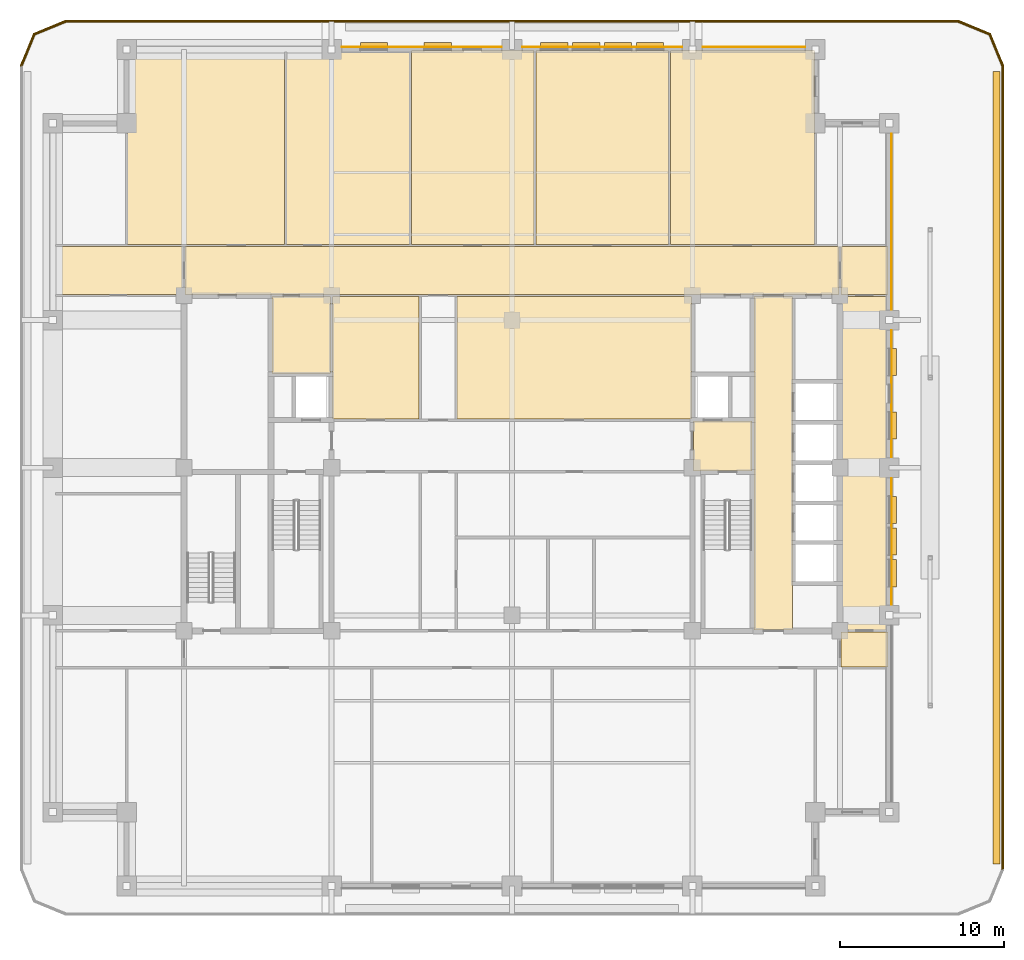
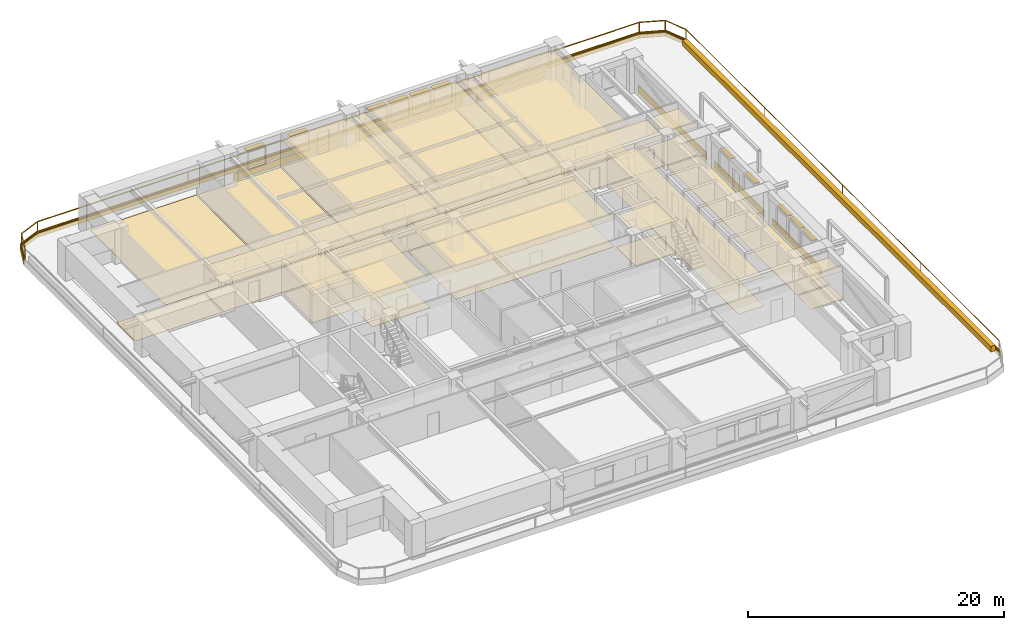
# One storey, part 17 of 17: 39 coverings, 11 shading devices, 2 railings.
"""IFC4 building model written with IfcOpenShell, lengths in metres."""

from ifc_helpers import new_model, si_unit, direction, frame, frame_2d, origin, origin_2d, place, context, subcontext, project, spatial, polyline, rectangle, outline, extrude, material, layer, layer_set, type_object, element, save


model = new_model("IFC4")

# Units and contexts
model_context = context("Model", 3, precision=1e-05, world=origin(), true_north=direction((0.0, 1.0)))
body_context = subcontext(model_context, "Body", "Model", "MODEL_VIEW")
ifc_project = project(units=[si_unit("LENGTHUNIT", "METRE"), si_unit("AREAUNIT", "SQUARE_METRE"), si_unit("VOLUMEUNIT", "CUBIC_METRE"), si_unit("PLANEANGLEUNIT", "RADIAN"), si_unit("MASSUNIT", "GRAM", prefix="KILO")], contexts=[model_context])

# Site, building, storey
site_placement = place(None, origin())
site = spatial("IfcSite", under=ifc_project, at=site_placement, CompositionType="ELEMENT")
building_placement = place(site_placement, origin())
building = spatial("IfcBuilding", under=site, at=building_placement, Name="Zulmaris Gate Convention Tower", CompositionType="ELEMENT")
storey_placement = place(building_placement, frame((0.0, 0.0, 121.349853515625)))
storey = spatial("IfcBuildingStorey", under=building, at=storey_placement, Name="L30", CompositionType="ELEMENT", Elevation=121.349853515625)

# Coverings
ifc_material_1 = material(Name="Precast concrete C40/50", Category="concrete")
ifc_layer_1 = layer(ifc_material_1, 0.0400390625, Name="Precast concrete C40/50")
ifc_layer_set_1 = layer_set([ifc_layer_1], Name="Precast concrete C40/50")
covering_type_1 = type_object("IfcCoveringType", Name="CLAD-SPANDREL-PRECAST", PredefinedType="CLADDING", material=ifc_layer_set_1)
for number, where, z_axis, x_axis, name in (
    (1, (-0.6298828125, 25.64990234375, 0.0), (0.0, 0.0, 1.0), (-1.0, 0.0, 0.0), "CLD-L30-N-1_0"),
    (2, (10.3701171875, 25.64990234375, 0.0), (0.0, 0.0, 1.0), (-1.0, 0.0, 0.0), "CLD-L30-N-2_0"),
):
    element("IfcCovering", number, at=place(storey_placement, frame(where, z_axis=z_axis, x_axis=x_axis)), inside=storey, type_object=covering_type_1, Name=name, PredefinedType="CLADDING", context=body_context, shape_type="SweptSolid", body=[
        extrude(rectangle(XDim=9.740234375, YDim=0.0400390625, at=frame_2d((4.8701171875, 0.0))), origin(), (0.0, 0.0, 1.0), 0.679931640625),
    ])
covering_1_placement = place(storey_placement, frame((17.8701171875, 25.64990234375, 0.0), z_axis=(0.0, 0.0, 1.0), x_axis=(-1.0, 0.0, 0.0)))
element("IfcCovering", 3, at=covering_1_placement, inside=storey, type_object=covering_type_1, Name="CLD-L30-N-3_0", PredefinedType="CLADDING", context=body_context, shape_type="SweptSolid", body=[
    extrude(rectangle(XDim=6.240234375, YDim=0.0400390625, at=frame_2d((3.1201171875, 0.0))), origin(), (0.0, 0.0, 1.0), 0.679931640625),
])
for number, where, z_axis, x_axis, name in (
    (4, (23.14990234375, -8.3701171875, 0.0), (0.0, 0.0, 1.0), (0.0, 1.0, 0.0), "CLD-L30-E-1_0"),
    (5, (23.14990234375, 0.6298828125, 0.0), (0.0, 0.0, 1.0), (0.0, 1.0, 0.0), "CLD-L30-E-2_0"),
):
    element("IfcCovering", number, at=place(storey_placement, frame(where, z_axis=z_axis, x_axis=x_axis)), inside=storey, type_object=covering_type_1, Name=name, PredefinedType="CLADDING", context=body_context, shape_type="SweptSolid", body=[
        extrude(rectangle(XDim=7.740234375, YDim=0.0400390625, at=frame_2d((3.8701171875, 0.0))), origin(), (0.0, 0.0, 1.0), 0.679931640625),
    ])
covering_2_placement = place(storey_placement, frame((23.14990234375, 9.6298828125, 0.0), z_axis=(0.0, 0.0, 1.0), x_axis=(0.0, 1.0, 0.0)))
element("IfcCovering", 6, at=covering_2_placement, inside=storey, type_object=covering_type_1, Name="CLD-L30-E-3_0", PredefinedType="CLADDING", context=body_context, shape_type="SweptSolid", body=[
    extrude(rectangle(XDim=10.740234375, YDim=0.0400390625, at=frame_2d((5.3701171875, 0.0))), origin(), (0.0, 0.0, 1.0), 0.679931640625),
])
ifc_material_2 = material(Name="White Glazed Architectural Precast Concrete C40/50", Category="concrete")
ifc_layer_2 = layer(ifc_material_2, 0.080078125, Name="White Glazed Architectural Precast Concrete C40/50")
ifc_layer_set_2 = layer_set([ifc_layer_2], Name="White Glazed Architectural Precast Concrete C40/50")
covering_type_2 = type_object("IfcCoveringType", Name="CLAD-TRAY-FASCIA", PredefinedType="CLADDING", material=ifc_layer_set_2)
covering_3_placement = place(storey_placement, frame((29.9599609375, -24.5, -0.46484375), z_axis=(0.0, 0.0, 1.0), x_axis=(0.0, 1.0, 0.0)))
element("IfcCovering", 7, at=covering_3_placement, inside=storey, type_object=covering_type_2, Name="FSC-L30-TR-05", PredefinedType="CLADDING", context=body_context, shape_type="SweptSolid", body=[
    extrude(rectangle(XDim=49.0, YDim=0.080078125, at=frame_2d((24.5, 0.0))), origin(), (0.0, 0.0, 1.0), 0.5849609375),
])
covering_4_placement = place(storey_placement, frame((29.962890625, 24.484619140625, -0.46484375), z_axis=(0.0, 0.0, 1.0), x_axis=(-0.382656984709, 0.923890487046, 0.0)))
element("IfcCovering", 8, at=covering_4_placement, inside=storey, type_object=covering_type_2, Name="FSC-L30-TR-06", PredefinedType="CLADDING", context=body_context, shape_type="SweptSolid", body=[
    extrude(rectangle(XDim=2.14306640625, YDim=0.080078125, at=frame_2d((1.071533203125, 0.0))), origin(), (0.0, 0.0, 1.0), 0.5849609375),
])
covering_5_placement = place(storey_placement, frame((29.16455078125, 26.44287109375, -0.46484375), z_axis=(0.0, 0.0, 1.0), x_axis=(-0.923873803533, 0.382697263049, 0.0)))
element("IfcCovering", 9, at=covering_5_placement, inside=storey, type_object=covering_type_2, Name="FSC-L30-TR-07", PredefinedType="CLADDING", context=body_context, shape_type="SweptSolid", body=[
    extrude(rectangle(XDim=2.142822265625, YDim=0.080078125, at=frame_2d((1.0712890625, 0.0))), origin(), (0.0, 0.0, 1.0), 0.5849609375),
])
covering_6_placement = place(storey_placement, frame((27.199951171875, 27.260009765625, -0.46484375), z_axis=(0.0, 0.0, 1.0), x_axis=(-1.0, 0.0, 0.0)))
element("IfcCovering", 10, at=covering_6_placement, inside=storey, type_object=covering_type_2, Name="FSC-L30-TR-08", PredefinedType="CLADDING", context=body_context, shape_type="SweptSolid", body=[
    extrude(rectangle(XDim=54.39990234375, YDim=0.080078125, at=frame_2d((27.199951171875, 0.0))), origin(), (0.0, 0.0, 1.0), 0.5849609375),
])
covering_7_placement = place(storey_placement, frame((-27.184814453125, 27.262939453125, -0.46484375), z_axis=(0.0, 0.0, 1.0), x_axis=(-0.923873803533, -0.382697263049, 0.0)))
element("IfcCovering", 11, at=covering_7_placement, inside=storey, type_object=covering_type_2, Name="FSC-L30-TR-09", PredefinedType="CLADDING", context=body_context, shape_type="SweptSolid", body=[
    extrude(rectangle(XDim=2.142822265625, YDim=0.080078125, at=frame_2d((1.0712890625, 0.0))), origin(), (0.0, 0.0, 1.0), 0.5849609375),
])
covering_8_placement = place(storey_placement, frame((-29.142822265625, 26.464599609375, -0.46484375), z_axis=(0.0, 0.0, 1.0), x_axis=(-0.382656984709, -0.923890487046, 0.0)))
element("IfcCovering", 12, at=covering_8_placement, inside=storey, type_object=covering_type_2, Name="FSC-L30-TR-10", PredefinedType="CLADDING", context=body_context, shape_type="SweptSolid", body=[
    extrude(rectangle(XDim=2.14306640625, YDim=0.080078125, at=frame_2d((1.071533203125, 0.0))), origin(), (0.0, 0.0, 1.0), 0.5849609375),
])
ifc_material_3 = material(Name="Mineral Fibre Acoustic Ceiling Tile")
ifc_layer_3 = layer(ifc_material_3, 0.02001953125, Name="Mineral Fibre Acoustic Ceiling Tile")
ifc_layer_set_3 = layer_set([ifc_layer_3], Name="Mineral Fibre Acoustic Ceiling Tile")
covering_type_3 = type_object("IfcCoveringType", Name="CLG-ACOUSTIC-600", PredefinedType="CEILING", material=ifc_layer_set_3)
covering_9_placement = place(storey_placement, frame((0.0, 0.0, 3.0400390625)))
element("IfcCovering", 13, at=covering_9_placement, inside=storey, type_object=covering_type_3, Name="CLG-L30-R08", PredefinedType="CEILING", context=body_context, shape_type="SweptSolid", body=[
    extrude(outline(polyline([(11.06005859375, -0.18994140625), (14.639892578125, -0.18994140625), (14.639892578125, 2.840087890625), (11.06005859375, 2.840087890625), (11.06005859375, -0.18994140625)])), origin(), (0.0, 0.0, 1.0), 0.02001953125),
])
covering_10_placement = place(storey_placement, frame((0.0, 0.0, 2.60302734375)))
element("IfcCovering", 14, at=covering_10_placement, inside=storey, type_object=covering_type_3, Name="CLG-L30-R11", PredefinedType="CEILING", context=body_context, shape_type="SweptSolid", body=[
    extrude(outline(polyline([(-14.639892578125, 5.760009765625), (-11.06005859375, 5.760009765625), (-11.06005859375, 10.43994140625), (-14.639892578125, 10.43994140625), (-14.639892578125, 5.760009765625)])), origin(), (0.0, 0.0, 1.0), 0.02001953125),
])
covering_11_placement = place(storey_placement, frame((0.0, 0.0, 2.778076171875)))
element("IfcCovering", 15, at=covering_11_placement, inside=storey, type_object=covering_type_3, Name="CLG-L30-R21", PredefinedType="CEILING", context=body_context, shape_type="SweptSolid", body=[
    extrude(outline(polyline([(14.760009765625, -9.889892578125), (17.090087890625, -9.889892578125), (17.090087890625, 10.43994140625), (14.760009765625, 10.43994140625), (14.760009765625, -9.889892578125)])), origin(), (0.0, 0.0, 1.0), 0.02001953125),
])
covering_12_placement = place(storey_placement, frame((0.0, 0.0, 2.60302734375)))
element("IfcCovering", 16, at=covering_12_placement, inside=storey, type_object=covering_type_3, Name="CLG-L30-R26", PredefinedType="CEILING", context=body_context, shape_type="SweptSolid", body=[
    extrude(outline(polyline([(-19.93994140625, 10.56005859375), (19.93994140625, 10.56005859375), (19.93994140625, 13.489990234375), (-19.93994140625, 13.489990234375), (-19.93994140625, 10.56005859375)])), origin(), (0.0, 0.0, 1.0), 0.02001953125),
])
covering_13_placement = place(storey_placement, frame((0.0, 0.0, 2.60302734375)))
element("IfcCovering", 17, at=covering_13_placement, inside=storey, type_object=covering_type_3, Name="CLG-L30-R33", PredefinedType="CEILING", context=body_context, shape_type="SweptSolid", body=[
    extrude(outline(polyline([(-6.139892578125, 13.610107421875), (1.340087890625, 13.610107421875), (1.340087890625, 25.43994140625), (-6.139892578125, 25.43994140625), (-6.139892578125, 13.610107421875)])), origin(), (0.0, 0.0, 1.0), 0.02001953125),
])
covering_14_placement = place(storey_placement, frame((0.0, 0.0, 2.679931640625)))
element("IfcCovering", 18, at=covering_14_placement, inside=storey, type_object=covering_type_3, Name="CLG-L30-R34", PredefinedType="CEILING", context=body_context, shape_type="SweptSolid", body=[
    extrude(outline(polyline([(1.4599609375, 13.610107421875), (9.5400390625, 13.610107421875), (9.5400390625, 25.43994140625), (1.4599609375, 25.43994140625), (1.4599609375, 13.610107421875)])), origin(), (0.0, 0.0, 1.0), 0.02001953125),
])
covering_15_placement = place(storey_placement, frame((0.0, 0.0, 2.60302734375)))
element("IfcCovering", 19, at=covering_15_placement, inside=storey, type_object=covering_type_3, Name="CLG-L30-R35", PredefinedType="CEILING", context=body_context, shape_type="SweptSolid", body=[
    extrude(outline(polyline([(9.659912109375, 13.610107421875), (18.43994140625, 13.610107421875), (18.43994140625, 25.43994140625), (9.659912109375, 25.43994140625), (9.659912109375, 13.610107421875)])), origin(), (0.0, 0.0, 1.0), 0.02001953125),
])
covering_16_placement = place(storey_placement, frame((0.0, 0.0, 2.60302734375)))
element("IfcCovering", 20, at=covering_16_placement, inside=storey, type_object=covering_type_3, Name="CLG-L30-R39", PredefinedType="CEILING", context=body_context, shape_type="SweptSolid", body=[
    extrude(outline(polyline([(-10.93994140625, 2.9599609375), (-5.659912109375, 2.9599609375), (-5.659912109375, 10.43994140625), (-10.93994140625, 10.43994140625), (-10.93994140625, 2.9599609375)])), origin(), (0.0, 0.0, 1.0), 0.02001953125),
])
covering_17_placement = place(storey_placement, frame((0.0, 0.0, 2.60302734375)))
element("IfcCovering", 21, at=covering_17_placement, inside=storey, type_object=covering_type_3, Name="CLG-L30-R40", PredefinedType="CEILING", context=body_context, shape_type="SweptSolid", body=[
    extrude(outline(polyline([(-3.340087890625, 2.9599609375), (10.93994140625, 2.9599609375), (10.93994140625, 10.43994140625), (-3.340087890625, 10.43994140625), (-3.340087890625, 2.9599609375)])), origin(), (0.0, 0.0, 1.0), 0.02001953125),
])
covering_18_placement = place(storey_placement, frame((0.0, 0.0, 2.679931640625)))
element("IfcCovering", 22, at=covering_18_placement, inside=storey, type_object=covering_type_3, Name="CLG-L30-R50", PredefinedType="CEILING", context=body_context, shape_type="SweptSolid", body=[
    extrude(outline(polyline([(20.06005859375, 10.56005859375), (22.93994140625, 10.56005859375), (22.93994140625, 13.489990234375), (20.06005859375, 13.489990234375), (20.06005859375, 10.56005859375)])), origin(), (0.0, 0.0, 1.0), 0.02001953125),
])
covering_19_placement = place(storey_placement, frame((0.0, 0.0, 2.679931640625)))
element("IfcCovering", 23, at=covering_19_placement, inside=storey, type_object=covering_type_3, Name="CLG-L30-R51", PredefinedType="CEILING", context=body_context, shape_type="SweptSolid", body=[
    extrude(outline(polyline([(20.06005859375, -12.139892578125), (22.93994140625, -12.139892578125), (22.93994140625, -10.010009765625), (20.06005859375, -10.010009765625), (20.06005859375, -12.139892578125)])), origin(), (0.0, 0.0, 1.0), 0.02001953125),
])
ifc_material_4 = material(Name="Woven Acoustic Wool Carpet Tile")
ifc_layer_4 = layer(ifc_material_4, 0.02001953125, Name="Woven Acoustic Wool Carpet Tile")
ifc_layer_set_4 = layer_set([ifc_layer_4], Name="Woven Acoustic Wool Carpet Tile")
covering_type_4 = type_object("IfcCoveringType", Name="FLR-CARPET-12", PredefinedType="FLOORING", material=ifc_layer_set_4)
covering_20_placement = place(storey_placement, origin())
element("IfcCovering", 24, at=covering_20_placement, inside=storey, type_object=covering_type_4, Name="FLR-L30-R08", PredefinedType="FLOORING", context=body_context, shape_type="SweptSolid", body=[
    extrude(outline(polyline([(11.06005859375, -0.18994140625), (14.639892578125, -0.18994140625), (14.639892578125, 2.840087890625), (11.06005859375, 2.840087890625), (11.06005859375, -0.18994140625)])), origin(), (0.0, 0.0, 1.0), 0.02001953125),
])
covering_21_placement = place(storey_placement, origin())
element("IfcCovering", 25, at=covering_21_placement, inside=storey, type_object=covering_type_4, Name="FLR-L30-R11", PredefinedType="FLOORING", context=body_context, shape_type="SweptSolid", body=[
    extrude(outline(polyline([(-14.639892578125, 5.760009765625), (-11.06005859375, 5.760009765625), (-11.06005859375, 10.43994140625), (-14.639892578125, 10.43994140625), (-14.639892578125, 5.760009765625)])), origin(), (0.0, 0.0, 1.0), 0.02001953125),
])
covering_22_placement = place(storey_placement, origin())
element("IfcCovering", 26, at=covering_22_placement, inside=storey, type_object=covering_type_4, Name="FLR-L30-R21", PredefinedType="FLOORING", context=body_context, shape_type="SweptSolid", body=[
    extrude(outline(polyline([(14.760009765625, -9.889892578125), (17.090087890625, -9.889892578125), (17.090087890625, 10.43994140625), (14.760009765625, 10.43994140625), (14.760009765625, -9.889892578125)])), origin(), (0.0, 0.0, 1.0), 0.02001953125),
])
covering_23_placement = place(storey_placement, origin())
element("IfcCovering", 27, at=covering_23_placement, inside=storey, type_object=covering_type_4, Name="FLR-L30-R26", PredefinedType="FLOORING", context=body_context, shape_type="SweptSolid", body=[
    extrude(outline(polyline([(-19.93994140625, 10.56005859375), (19.93994140625, 10.56005859375), (19.93994140625, 13.489990234375), (-19.93994140625, 13.489990234375), (-19.93994140625, 10.56005859375)])), origin(), (0.0, 0.0, 1.0), 0.02001953125),
])
covering_24_placement = place(storey_placement, origin())
element("IfcCovering", 28, at=covering_24_placement, inside=storey, type_object=covering_type_4, Name="FLR-L30-R31", PredefinedType="FLOORING", context=body_context, shape_type="SweptSolid", body=[
    extrude(outline(polyline([(-23.43994140625, 13.610107421875), (-13.860107421875, 13.610107421875), (-13.860107421875, 25.43994140625), (-23.43994140625, 25.43994140625), (-23.43994140625, 13.610107421875)])), origin(), (0.0, 0.0, 1.0), 0.02001953125),
])
covering_25_placement = place(storey_placement, origin())
element("IfcCovering", 29, at=covering_25_placement, inside=storey, type_object=covering_type_4, Name="FLR-L30-R32", PredefinedType="FLOORING", context=body_context, shape_type="SweptSolid", body=[
    extrude(outline(polyline([(-13.739990234375, 13.610107421875), (-6.260009765625, 13.610107421875), (-6.260009765625, 25.43994140625), (-13.739990234375, 25.43994140625), (-13.739990234375, 13.610107421875)])), origin(), (0.0, 0.0, 1.0), 0.02001953125),
])
covering_26_placement = place(storey_placement, origin())
element("IfcCovering", 30, at=covering_26_placement, inside=storey, type_object=covering_type_4, Name="FLR-L30-R33", PredefinedType="FLOORING", context=body_context, shape_type="SweptSolid", body=[
    extrude(outline(polyline([(-6.139892578125, 13.610107421875), (1.340087890625, 13.610107421875), (1.340087890625, 25.43994140625), (-6.139892578125, 25.43994140625), (-6.139892578125, 13.610107421875)])), origin(), (0.0, 0.0, 1.0), 0.02001953125),
])
covering_27_placement = place(storey_placement, origin())
element("IfcCovering", 31, at=covering_27_placement, inside=storey, type_object=covering_type_4, Name="FLR-L30-R34", PredefinedType="FLOORING", context=body_context, shape_type="SweptSolid", body=[
    extrude(outline(polyline([(1.4599609375, 13.610107421875), (9.5400390625, 13.610107421875), (9.5400390625, 25.43994140625), (1.4599609375, 25.43994140625), (1.4599609375, 13.610107421875)])), origin(), (0.0, 0.0, 1.0), 0.02001953125),
])
covering_28_placement = place(storey_placement, origin())
element("IfcCovering", 32, at=covering_28_placement, inside=storey, type_object=covering_type_4, Name="FLR-L30-R35", PredefinedType="FLOORING", context=body_context, shape_type="SweptSolid", body=[
    extrude(outline(polyline([(9.659912109375, 13.610107421875), (18.43994140625, 13.610107421875), (18.43994140625, 25.43994140625), (9.659912109375, 25.43994140625), (9.659912109375, 13.610107421875)])), origin(), (0.0, 0.0, 1.0), 0.02001953125),
])
covering_29_placement = place(storey_placement, origin())
element("IfcCovering", 33, at=covering_29_placement, inside=storey, type_object=covering_type_4, Name="FLR-L30-R40", PredefinedType="FLOORING", context=body_context, shape_type="SweptSolid", body=[
    extrude(outline(polyline([(-3.340087890625, 2.9599609375), (10.93994140625, 2.9599609375), (10.93994140625, 10.43994140625), (-3.340087890625, 10.43994140625), (-3.340087890625, 2.9599609375)])), origin(), (0.0, 0.0, 1.0), 0.02001953125),
])
covering_30_placement = place(storey_placement, origin())
element("IfcCovering", 34, at=covering_30_placement, inside=storey, type_object=covering_type_4, Name="FLR-L30-R46", PredefinedType="FLOORING", context=body_context, shape_type="SweptSolid", body=[
    extrude(outline(polyline([(-27.93994140625, 10.56005859375), (-20.06005859375, 10.56005859375), (-20.06005859375, 13.489990234375), (-27.93994140625, 13.489990234375), (-27.93994140625, 10.56005859375)])), origin(), (0.0, 0.0, 1.0), 0.02001953125),
])
covering_31_placement = place(storey_placement, origin())
element("IfcCovering", 35, at=covering_31_placement, inside=storey, type_object=covering_type_4, Name="FLR-L30-R50", PredefinedType="FLOORING", context=body_context, shape_type="SweptSolid", body=[
    extrude(outline(polyline([(20.06005859375, 10.56005859375), (22.93994140625, 10.56005859375), (22.93994140625, 13.489990234375), (20.06005859375, 13.489990234375), (20.06005859375, 10.56005859375)])), origin(), (0.0, 0.0, 1.0), 0.02001953125),
])
covering_32_placement = place(storey_placement, origin())
element("IfcCovering", 36, at=covering_32_placement, inside=storey, type_object=covering_type_4, Name="FLR-L30-R51", PredefinedType="FLOORING", context=body_context, shape_type="SweptSolid", body=[
    extrude(outline(polyline([(20.06005859375, -12.139892578125), (22.93994140625, -12.139892578125), (22.93994140625, -10.010009765625), (20.06005859375, -10.010009765625), (20.06005859375, -12.139892578125)])), origin(), (0.0, 0.0, 1.0), 0.02001953125),
])
covering_33_placement = place(storey_placement, origin())
element("IfcCovering", 37, at=covering_33_placement, inside=storey, type_object=covering_type_4, Name="FLR-L30-R52", PredefinedType="FLOORING", context=body_context, shape_type="SweptSolid", body=[
    extrude(outline(polyline([(20.06005859375, -9.889892578125), (22.93994140625, -9.889892578125), (22.93994140625, 10.43994140625), (20.06005859375, 10.43994140625), (20.06005859375, -9.889892578125)])), origin(), (0.0, 0.0, 1.0), 0.02001953125),
])
ifc_material_5 = material(Name="Polished Granite Terrazzo Tile", Category="masonry")
ifc_layer_5 = layer(ifc_material_5, 0.02001953125, Name="Polished Granite Terrazzo Tile")
ifc_layer_set_5 = layer_set([ifc_layer_5], Name="Polished Granite Terrazzo Tile")
covering_type_5 = type_object("IfcCoveringType", Name="FLR-TERRAZZO-30", PredefinedType="FLOORING", material=ifc_layer_set_5)
covering_34_placement = place(storey_placement, origin())
element("IfcCovering", 38, at=covering_34_placement, inside=storey, type_object=covering_type_5, Name="FLR-L30-R39", PredefinedType="FLOORING", context=body_context, shape_type="SweptSolid", body=[
    extrude(outline(polyline([(-10.93994140625, 2.9599609375), (-5.659912109375, 2.9599609375), (-5.659912109375, 10.43994140625), (-10.93994140625, 10.43994140625), (-10.93994140625, 2.9599609375)])), origin(), (0.0, 0.0, 1.0), 0.02001953125),
])
ifc_material_6 = material(Name="Botanical Green Glazed Precast Concrete C40/50", Category="concrete")
ifc_layer_6 = layer(ifc_material_6, 0.419921875, Name="Botanical Green Glazed Precast Concrete C40/50")
ifc_layer_set_6 = layer_set([ifc_layer_6], Name="Botanical Green Glazed Precast Concrete C40/50")
covering_type_6 = type_object("IfcCoveringType", Name="PLANTER-BOX-200", PredefinedType="CLADDING", material=ifc_layer_set_6)
covering_35_placement = place(storey_placement, frame((0.0, 0.0, -0.0400390625)))
element("IfcCovering", 39, at=covering_35_placement, inside=storey, type_object=covering_type_6, Name="L30 E Full-Length Balcony Tree Planter Trough", PredefinedType="CLADDING", context=body_context, shape_type="SweptSolid", body=[
    extrude(outline(polyline([(29.340087890625, -24.14990234375), (29.760009765625, -24.14990234375), (29.760009765625, 24.14990234375), (29.340087890625, 24.14990234375), (29.340087890625, -24.14990234375)])), origin(), (0.0, 0.0, 1.0), 0.52001953125),
])

# Railings
ifc_material_7 = material(Name="Laminated Glass and Stainless Steel", Category="steel")
railing_type = type_object("IfcRailingType", Name="RL-BALC-1150", PredefinedType="BALUSTRADE", material=ifc_material_7)
railing_1_placement = place(storey_placement, frame((29.8798828125, -24.5, -0.0400390625)))
element("IfcRailing", 40, at=railing_1_placement, inside=storey, type_object=railing_type, Name="RL-L30-BALC-E", PredefinedType="BALUSTRADE", context=body_context, shape_type="SweptSolid", body=[
    extrude(rectangle(XDim=0.048095703125, YDim=0.048095703125, at=origin_2d()), frame((0.0, 0.0, 1.1259765625), z_axis=(0.0, 1.0, 0.0), x_axis=(-1.0, 0.0, 0.0)), (0.0, 0.0, 1.0), 49.0),
    extrude(rectangle(XDim=0.048095703125, YDim=0.048095703125, at=origin_2d()), frame((0.0, 0.0, 0.02392578125), z_axis=(0.0, 1.0, 0.0), x_axis=(-1.0, 0.0, 0.0)), (0.0, 0.0, 1.0), 49.0),
    extrude(rectangle(XDim=0.0419921875, YDim=0.0419921875, at=origin_2d()), origin(), (0.0, 0.0, 1.0), 1.101806640625),
    extrude(rectangle(XDim=0.0419921875, YDim=0.0419921875, at=origin_2d()), frame((0.0, 12.25, 0.0)), (0.0, 0.0, 1.0), 1.101806640625),
    extrude(rectangle(XDim=0.0419921875, YDim=0.0419921875, at=origin_2d()), frame((0.0, 24.5, 0.0)), (0.0, 0.0, 1.0), 1.101806640625),
    extrude(rectangle(XDim=0.0419921875, YDim=0.0419921875, at=origin_2d()), frame((0.0, 36.75, 0.0)), (0.0, 0.0, 1.0), 1.101806640625),
    extrude(rectangle(XDim=0.0419921875, YDim=0.0419921875, at=origin_2d()), frame((0.0, 49.0, 0.0)), (0.0, 0.0, 1.0), 1.101806640625),
])
railing_2_placement = place(storey_placement, frame((29.8798828125, 24.5, -0.0400390625)))
element("IfcRailing", 41, at=railing_2_placement, inside=storey, type_object=railing_type, Name="RL-L30-BALC-N", PredefinedType="BALUSTRADE", context=body_context, shape_type="SweptSolid", body=[
    extrude(rectangle(XDim=0.048095703125, YDim=0.048095703125, at=origin_2d()), frame((0.0, 0.0, 1.1259765625), z_axis=(-0.382670664694, 0.92388482095, 0.0), x_axis=(-0.92388482095, -0.382670664694, 0.0)), (0.0, 0.0, 1.0), 2.051025390625),
    extrude(rectangle(XDim=0.048095703125, YDim=0.048095703125, at=origin_2d()), frame((0.0, 0.0, 0.02392578125), z_axis=(-0.382670664694, 0.92388482095, 0.0), x_axis=(-0.92388482095, -0.382670664694, 0.0)), (0.0, 0.0, 1.0), 2.051025390625),
    extrude(rectangle(XDim=0.048095703125, YDim=0.048095703125, at=origin_2d()), frame((-0.784912109375, 1.89501953125, 1.1259765625), z_axis=(-0.92388482095, 0.382670664694, 0.0), x_axis=(-0.382670664694, -0.92388482095, 0.0)), (0.0, 0.0, 1.0), 2.051025390625),
    extrude(rectangle(XDim=0.048095703125, YDim=0.048095703125, at=origin_2d()), frame((-0.784912109375, 1.89501953125, 0.02392578125), z_axis=(-0.92388482095, 0.382670664694, 0.0), x_axis=(-0.382670664694, -0.92388482095, 0.0)), (0.0, 0.0, 1.0), 2.051025390625),
    extrude(rectangle(XDim=0.048095703125, YDim=0.048095703125, at=origin_2d()), frame((-2.679931640625, 2.679931640625, 1.1259765625), z_axis=(-1.0, 0.0, 0.0), x_axis=(0.0, -1.0, 0.0)), (0.0, 0.0, 1.0), 54.39990234375),
    extrude(rectangle(XDim=0.048095703125, YDim=0.048095703125, at=origin_2d()), frame((-2.679931640625, 2.679931640625, 0.02392578125), z_axis=(-1.0, 0.0, 0.0), x_axis=(0.0, -1.0, 0.0)), (0.0, 0.0, 1.0), 54.39990234375),
    extrude(rectangle(XDim=0.048095703125, YDim=0.048095703125, at=origin_2d()), frame((-57.079833984375, 2.679931640625, 1.1259765625), z_axis=(-0.92388482095, -0.382670664694, 0.0), x_axis=(0.382670664694, -0.92388482095, 0.0)), (0.0, 0.0, 1.0), 2.051025390625),
    extrude(rectangle(XDim=0.048095703125, YDim=0.048095703125, at=origin_2d()), frame((-57.079833984375, 2.679931640625, 0.02392578125), z_axis=(-0.92388482095, -0.382670664694, 0.0), x_axis=(0.382670664694, -0.92388482095, 0.0)), (0.0, 0.0, 1.0), 2.051025390625),
    extrude(rectangle(XDim=0.048095703125, YDim=0.048095703125, at=origin_2d()), frame((-58.974853515625, 1.89501953125, 1.1259765625), z_axis=(-0.382670664694, -0.92388482095, 0.0), x_axis=(0.92388482095, -0.382670664694, 0.0)), (0.0, 0.0, 1.0), 2.051025390625),
    extrude(rectangle(XDim=0.048095703125, YDim=0.048095703125, at=origin_2d()), frame((-58.974853515625, 1.89501953125, 0.02392578125), z_axis=(-0.382670664694, -0.92388482095, 0.0), x_axis=(0.92388482095, -0.382670664694, 0.0)), (0.0, 0.0, 1.0), 2.051025390625),
    extrude(rectangle(XDim=0.0419921875, YDim=0.0419921875, at=origin_2d()), origin(), (0.0, 0.0, 1.0), 1.101806640625),
    extrude(rectangle(XDim=0.0419921875, YDim=0.0419921875, at=origin_2d()), frame((-0.784912109375, 1.89501953125, 0.0)), (0.0, 0.0, 1.0), 1.101806640625),
    extrude(rectangle(XDim=0.0419921875, YDim=0.0419921875, at=origin_2d()), frame((-2.679931640625, 2.679931640625, 0.0)), (0.0, 0.0, 1.0), 1.101806640625),
    extrude(rectangle(XDim=0.0419921875, YDim=0.0419921875, at=origin_2d()), frame((-16.27978515625, 2.679931640625, 0.0)), (0.0, 0.0, 1.0), 1.101806640625),
    extrude(rectangle(XDim=0.0419921875, YDim=0.0419921875, at=origin_2d()), frame((-29.8798828125, 2.679931640625, 0.0)), (0.0, 0.0, 1.0), 1.101806640625),
    extrude(rectangle(XDim=0.0419921875, YDim=0.0419921875, at=origin_2d()), frame((-43.47998046875, 2.679931640625, 0.0)), (0.0, 0.0, 1.0), 1.101806640625),
    extrude(rectangle(XDim=0.0419921875, YDim=0.0419921875, at=origin_2d()), frame((-57.079833984375, 2.679931640625, 0.0)), (0.0, 0.0, 1.0), 1.101806640625),
    extrude(rectangle(XDim=0.0419921875, YDim=0.0419921875, at=origin_2d()), frame((-58.974853515625, 1.89501953125, 0.0)), (0.0, 0.0, 1.0), 1.101806640625),
    extrude(rectangle(XDim=0.0419921875, YDim=0.0419921875, at=origin_2d()), frame((-59.759765625, 0.0, 0.0)), (0.0, 0.0, 1.0), 1.101806640625),
])

# Shading devices
ifc_material_8 = material(Name="Glazed Ceramic Terracotta", Category="masonry")
ifc_layer_7 = layer(ifc_material_8, 0.070068359375, Name="Glazed Ceramic Terracotta")
ifc_layer_set_7 = layer_set([ifc_layer_7], Name="Glazed Ceramic Terracotta")
shading_device_type = type_object("IfcShadingDeviceType", Name="SHD-SUNSHADE-TC", PredefinedType="AWNING", material=ifc_layer_set_7)
for number, where, z_axis, x_axis, name in (
    (42, (-3.700927734375, 25.719970703125, 2.530029296875), (0.0, 0.0, 1.0), (-1.0, 0.0, 0.0), "SHD-EW-L30-N-1_0-2"),
    (43, (-7.596923828125, 25.719970703125, 2.530029296875), (0.0, 0.0, 1.0), (-1.0, 0.0, 0.0), "SHD-EW-L30-N-1_0-4"),
    (44, (9.2470703125, 25.719970703125, 2.530029296875), (0.0, 0.0, 1.0), (-1.0, 0.0, 0.0), "SHD-EW-L30-N-2_0-1"),
    (45, (7.299072265625, 25.719970703125, 2.530029296875), (0.0, 0.0, 1.0), (-1.0, 0.0, 0.0), "SHD-EW-L30-N-2_0-2"),
    (46, (5.35107421875, 25.719970703125, 2.530029296875), (0.0, 0.0, 1.0), (-1.0, 0.0, 0.0), "SHD-EW-L30-N-2_0-3"),
    (47, (3.403076171875, 25.719970703125, 2.530029296875), (0.0, 0.0, 1.0), (-1.0, 0.0, 0.0), "SHD-EW-L30-N-2_0-4"),
):
    element("IfcShadingDevice", number, at=place(storey_placement, frame(where, z_axis=z_axis, x_axis=x_axis)), inside=storey, type_object=shading_device_type, Name=name, PredefinedType="AWNING", context=body_context, shape_type="SweptSolid", body=[
        extrude(rectangle(XDim=1.650146484375, YDim=0.43994140625, at=frame_2d((0.8251953125, 0.0))), origin(), (0.0, 0.0, 1.0), 0.070068359375),
    ])
for number, where, z_axis, x_axis, name in (
    (48, (23.219970703125, -7.260009765625, 2.530029296875), (0.0, 0.0, 1.0), (0.0, 1.0, 0.0), "SHD-EW-L30-E-1_0-1"),
    (49, (23.219970703125, -5.324951171875, 2.530029296875), (0.0, 0.0, 1.0), (0.0, 1.0, 0.0), "SHD-EW-L30-E-1_0-2"),
    (50, (23.219970703125, -3.389892578125, 2.530029296875), (0.0, 0.0, 1.0), (0.0, 1.0, 0.0), "SHD-EW-L30-E-1_0-3"),
    (51, (23.219970703125, 1.739990234375, 2.530029296875), (0.0, 0.0, 1.0), (0.0, 1.0, 0.0), "SHD-EW-L30-E-2_0-1"),
    (52, (23.219970703125, 5.610107421875, 2.530029296875), (0.0, 0.0, 1.0), (0.0, 1.0, 0.0), "SHD-EW-L30-E-2_0-3"),
):
    element("IfcShadingDevice", number, at=place(storey_placement, frame(where, z_axis=z_axis, x_axis=x_axis)), inside=storey, type_object=shading_device_type, Name=name, PredefinedType="AWNING", context=body_context, shape_type="SweptSolid", body=[
        extrude(rectangle(XDim=1.64990234375, YDim=0.43994140625, at=frame_2d((0.824951171875, 0.0))), origin(), (0.0, 0.0, 1.0), 0.070068359375),
    ])

save(model, "model.ifc")
